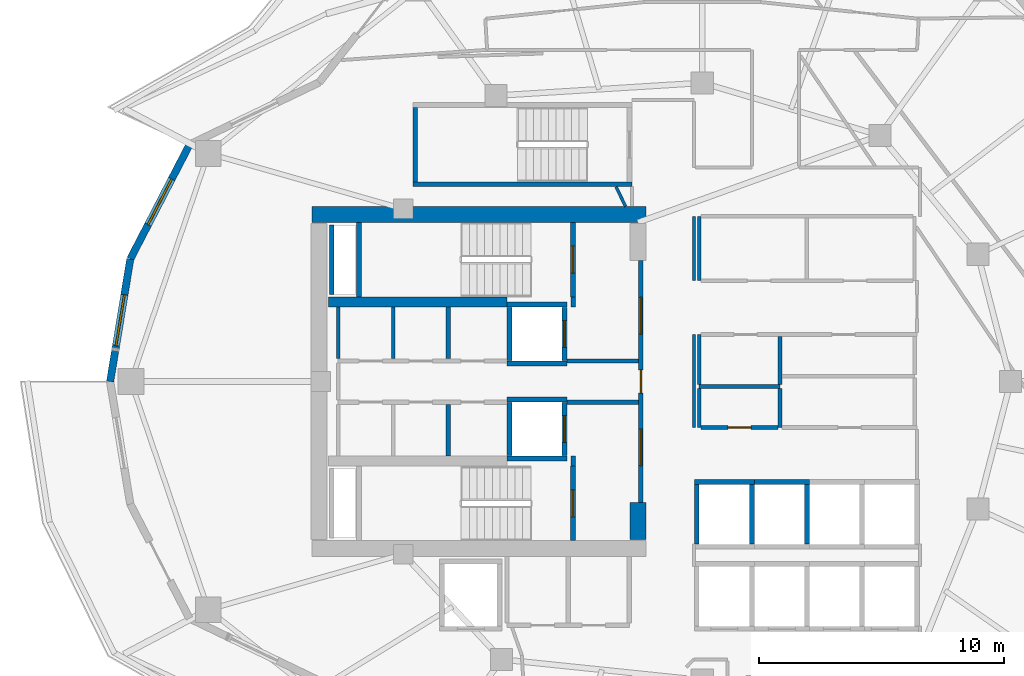
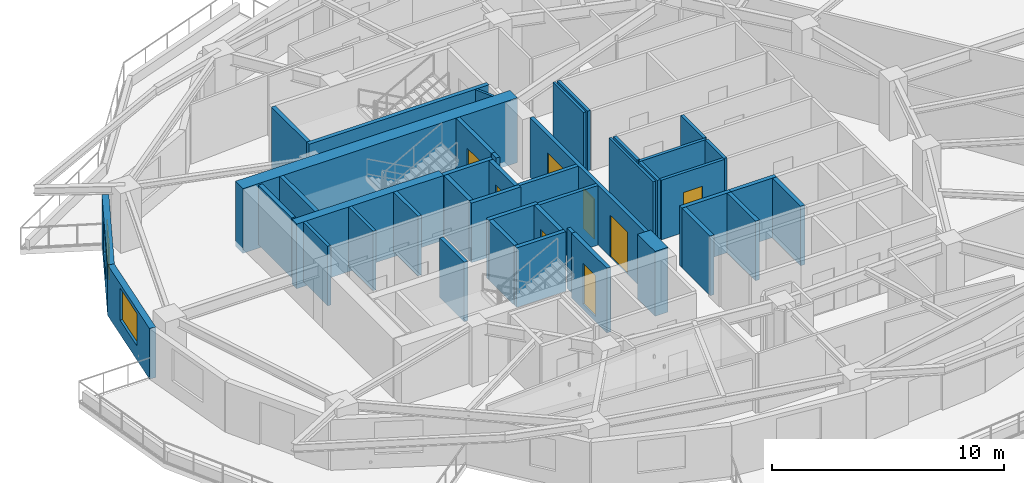
# One storey, part 4 of 17: 43 walls, 8 doors, 2 windows, 10 openings.
"""IFC4 building model written with IfcOpenShell, lengths in metres."""

from ifc_helpers import new_model, si_unit, direction, frame, frame_2d, origin, place, context, subcontext, project, spatial, rectangle, extrude, material, layer, layer_set, type_object, element, fill, save


model = new_model("IFC4")

# Units and contexts
model_context = context("Model", 3, precision=1e-05, world=origin(), true_north=direction((0.0, 1.0)))
body_context = subcontext(model_context, "Body", "Model", "MODEL_VIEW")
ifc_project = project(units=[si_unit("LENGTHUNIT", "METRE"), si_unit("AREAUNIT", "SQUARE_METRE"), si_unit("VOLUMEUNIT", "CUBIC_METRE"), si_unit("PLANEANGLEUNIT", "RADIAN"), si_unit("MASSUNIT", "GRAM", prefix="KILO")], contexts=[model_context])

# Site, building, storey
site_placement = place(None, origin())
site = spatial("IfcSite", under=ifc_project, at=site_placement, CompositionType="ELEMENT")
building_placement = place(site_placement, origin())
building = spatial("IfcBuilding", under=site, at=building_placement, Name="Kolvaren Gate Tower and Convention Centre", CompositionType="ELEMENT")
storey_placement = place(building_placement, frame((0.0, 0.0, 125.699951171875)))
storey = spatial("IfcBuildingStorey", under=building, at=storey_placement, Name="L31", CompositionType="ELEMENT", Elevation=125.699951171875)

# Walls
ifc_material_1 = material(Name="Autoclaved Aerated Masonry Blockwork Class 4 (4.0 MPa)", Category="masonry")
ifc_layer_1 = layer(ifc_material_1, 0.179931640625)
ifc_layer_set_1 = layer_set([ifc_layer_1], Name="Autoclaved Aerated Masonry Blockwork Class 4 (4.0 MPa)")
wall_type_1 = type_object("IfcWallType", Name="ARCH-WL-COMP-180", PredefinedType="SOLIDWALL", material=ifc_layer_set_1)
for number, where, z_axis, x_axis, name in (
    (1, (24.85009765625, 23.5400390625, 0.0), (0.0, 0.0, 1.0), (0.0, 1.0, 0.0), "Interior Partition WL-L31-INT-001"),
    (2, (24.85009765625, 30.0400390625, 0.0), (0.0, 0.0, 1.0), (0.0, 1.0, 0.0), "Interior Partition WL-L31-INT-002"),
):
    element("IfcWall", number, at=place(storey_placement, frame(where, z_axis=z_axis, x_axis=x_axis)), inside=storey, type_object=wall_type_1, Name=name, PredefinedType="SOLIDWALL", context=body_context, shape_type="SweptSolid", body=[
        extrude(rectangle(XDim=0.419921875, YDim=0.179931640625, at=frame_2d((0.2099609375, 0.0))), origin(), (0.0, 0.0, 1.0), 3.130126953125),
    ])

# Wall, openings, doors
wall_1_placement = place(storey_placement, frame((27.6201171875, 22.050048828125, 0.0), z_axis=(0.0, 0.0, 1.0), x_axis=(0.0, 1.0, 0.0)))
wall_1 = element("IfcWall", 3, at=wall_1_placement, inside=storey, type_object=wall_type_1, Name="Interior Partition WL-L31-INT-003", PredefinedType="SOLIDWALL", context=body_context, shape_type="SweptSolid", body=[
    extrude(rectangle(XDim=9.89990234375, YDim=0.179931640625, at=frame_2d((4.949951171875, 0.0))), origin(), (0.0, 0.0, 1.0), 3.130126953125),
])
opening_1_placement = place(wall_1_placement, frame((4.47509765625, 0.0, 0.0)))
opening_1 = element("IfcOpeningElement", 4, at=opening_1_placement, cuts=wall_1, Name="Opening DR-01", PredefinedType="OPENING", context=body_context, shape_type="SweptSolid", body=[
    extrude(rectangle(XDim=0.949951171875, YDim=2.10009765625, at=frame_2d((0.47509765625, 1.050048828125))), frame((0.0, 0.099853515625, 0.0), z_axis=(0.0, -1.0, 0.0), x_axis=(1.0, 0.0, 0.0)), (0.0, 0.0, 1.0), 0.199951171875),
])
opening_2_placement = place(wall_1_placement, frame((6.889892578125, 0.0, 0.0)))
opening_2 = element("IfcOpeningElement", 5, at=opening_2_placement, cuts=wall_1, Name="Opening DL-01", PredefinedType="OPENING", context=body_context, shape_type="SweptSolid", body=[
    extrude(rectangle(XDim=1.5, YDim=2.199951171875, at=frame_2d((0.75, 1.10009765625))), frame((0.0, 0.099853515625, 0.0), z_axis=(0.0, -1.0, 0.0), x_axis=(1.0, 0.0, 0.0)), (0.0, 0.0, 1.0), 0.199951171875),
])
opening_3_placement = place(wall_1_placement, frame((1.510009765625, 0.0, 0.0)))
opening_3 = element("IfcOpeningElement", 6, at=opening_3_placement, cuts=wall_1, Name="Opening DL-01", PredefinedType="OPENING", context=body_context, shape_type="SweptSolid", body=[
    extrude(rectangle(XDim=1.5, YDim=2.199951171875, at=frame_2d((0.75, 1.10009765625))), frame((0.0, 0.099853515625, 0.0), z_axis=(0.0, -1.0, 0.0), x_axis=(1.0, 0.0, 0.0)), (0.0, 0.0, 1.0), 0.199951171875),
])
ifc_material_2 = material(Name="Painted Architectural Steelwork ASTM A500 Grade C 345 MPa", Category="steel")
door_type_1 = type_object("IfcDoorType", Name="ARCH-DR-LOBBY-1500", OperationType="DOUBLE_DOOR_SINGLE_SWING", PredefinedType="DOOR", material=ifc_material_2)
door_1_placement = place(opening_2_placement, origin())
door_1 = element("IfcDoor", 7, at=door_1_placement, inside=storey, type_object=door_type_1, Name="North Firefighting Stair and Lift Lobby Door", OperationType="DOUBLE_DOOR_SINGLE_SWING", OverallHeight=2.199951171875, OverallWidth=1.5, PredefinedType="DOOR", context=body_context, shape_type="SweptSolid", body=[
    extrude(rectangle(XDim=1.5, YDim=2.199951171875, at=frame_2d((0.75, 1.10009765625))), frame((0.0, 0.02490234375, 0.0), z_axis=(0.0, -1.0, 0.0), x_axis=(1.0, 0.0, 0.0)), (0.0, 0.0, 1.0), 0.050048828125),
])
fill(opening_2, door_1)
door_2_placement = place(opening_3_placement, origin())
door_2 = element("IfcDoor", 8, at=door_2_placement, inside=storey, type_object=door_type_1, Name="South Firefighting Stair and Lift Lobby Door", OperationType="DOUBLE_DOOR_SINGLE_SWING", OverallHeight=2.199951171875, OverallWidth=1.5, PredefinedType="DOOR", context=body_context, shape_type="SweptSolid", body=[
    extrude(rectangle(XDim=1.5, YDim=2.199951171875, at=frame_2d((0.75, 1.10009765625))), frame((0.0, 0.02490234375, 0.0), z_axis=(0.0, -1.0, 0.0), x_axis=(1.0, 0.0, 0.0)), (0.0, 0.0, 1.0), 0.050048828125),
])
fill(opening_3, door_2)
door_type_2 = type_object("IfcDoorType", Name="ARCH-DR-RISER-950", OperationType="SINGLE_SWING_RIGHT", PredefinedType="DOOR", material=ifc_material_2)
door_3_placement = place(opening_1_placement, origin())
door_3 = element("IfcDoor", 9, at=door_3_placement, inside=storey, type_object=door_type_2, Name="Central MEP Service Corridor Door", OperationType="SINGLE_SWING_LEFT", OverallHeight=2.10009765625, OverallWidth=0.949951171875, PredefinedType="DOOR", context=body_context, shape_type="SweptSolid", body=[
    extrude(rectangle(XDim=0.949951171875, YDim=2.10009765625, at=frame_2d((0.47509765625, 1.050048828125))), frame((0.0, 0.02490234375, 0.0), z_axis=(0.0, -1.0, 0.0), x_axis=(1.0, 0.0, 0.0)), (0.0, 0.0, 1.0), 0.050048828125),
])
fill(opening_1, door_3)

# Walls
for number, where, z_axis, x_axis, name in (
    (10, (24.60009765625, 27.840087890625, 0.0), (0.0, 0.0, 1.0), (1.0, 0.0, 0.0), "Interior Partition WL-L31-INT-005 (2)"),
    (11, (24.60009765625, 26.159912109375, 0.0), (0.0, 0.0, 1.0), (1.0, 0.0, 0.0), "Interior Partition WL-L31-INT-006 (2)"),
):
    element("IfcWall", number, at=place(storey_placement, frame(where, z_axis=z_axis, x_axis=x_axis)), inside=storey, type_object=wall_type_1, Name=name, PredefinedType="SOLIDWALL", context=body_context, shape_type="SweptSolid", body=[
        extrude(rectangle(XDim=2.927978515625, YDim=0.179931640625, at=frame_2d((1.4638671875, 0.0))), origin(), (0.0, 0.0, 1.0), 3.130126953125),
    ])
for number, where, z_axis, x_axis, name in (
    (12, (19.75, 23.9619140625, 0.0), (0.0, 0.0, 1.0), (0.0, 1.0, 0.0), "Interior Partition WL-L31-INT-008"),
    (13, (19.75, 27.931884765625, 0.0), (0.0, 0.0, 1.0), (0.0, 1.0, 0.0), "Interior Partition WL-L31-INT-009"),
):
    element("IfcWall", number, at=place(storey_placement, frame(where, z_axis=z_axis, x_axis=x_axis)), inside=storey, type_object=wall_type_1, Name=name, PredefinedType="SOLIDWALL", context=body_context, shape_type="SweptSolid", body=[
        extrude(rectangle(XDim=2.106201171875, YDim=0.179931640625, at=frame_2d((1.05322265625, 0.0))), origin(), (0.0, 0.0, 1.0), 3.130126953125),
    ])
ifc_material_3 = material(Name="Fire-Rated Acoustic Gypsum Stud Partition", Category="gypsum")
ifc_layer_2 = layer(ifc_material_3, 0.1201171875)
ifc_layer_set_2 = layer_set([ifc_layer_2], Name="Fire-Rated Acoustic Gypsum Stud Partition")
wall_type_2 = type_object("IfcWallType", Name="ARCH-WL-PART-120", PredefinedType="PARTITIONING", material=ifc_layer_set_2)
wall_2_placement = place(storey_placement, frame((29.780029296875, 25.1201171875, 0.0), z_axis=(0.0, 0.0, 1.0), x_axis=(0.0, 1.0, 0.0)))
element("IfcWall", 14, at=wall_2_placement, inside=storey, type_object=wall_type_2, Name="Interior Partition WL-L31-INT-042", PredefinedType="PARTITIONING", context=body_context, shape_type="SweptSolid", body=[
    extrude(rectangle(XDim=3.7998046875, YDim=0.1201171875, at=frame_2d((1.89990234375, 0.0))), origin(), (0.0, 0.0, 1.0), 3.130126953125),
])
wall_3_placement = place(storey_placement, frame((29.780029296875, 31.1201171875, 0.0), z_axis=(0.0, 0.0, 1.0), x_axis=(0.0, 1.0, 0.0)))
element("IfcWall", 15, at=wall_3_placement, inside=storey, type_object=wall_type_2, Name="Interior Partition WL-L31-INT-043", PredefinedType="PARTITIONING", context=body_context, shape_type="SweptSolid", body=[
    extrude(rectangle(XDim=2.6298828125, YDim=0.1201171875, at=frame_2d((1.31494140625, 0.0))), origin(), (0.0, 0.0, 1.0), 3.130126953125),
])
wall_4_placement = place(storey_placement, frame((26.60205078125, 34.9580078125, 0.0), z_axis=(0.0, 0.0, 1.0), x_axis=(0.43792991699, -0.899009114417, 0.0)))
element("IfcWall", 16, at=wall_4_placement, inside=storey, type_object=wall_type_2, Name="Interior Partition WL-L31-INT-084", PredefinedType="PARTITIONING", context=body_context, shape_type="SweptSolid", body=[
    extrude(rectangle(XDim=0.896484375, YDim=0.1201171875, at=frame_2d((0.4482421875, 0.0))), origin(), (0.0, 0.0, 1.0), 3.130126953125),
])
ifc_layer_3 = layer(ifc_material_1, 0.199951171875)
ifc_layer_set_3 = layer_set([ifc_layer_3], Name="Autoclaved Aerated Masonry Blockwork Class 4 (4.0 MPa)")
wall_type_3 = type_object("IfcWallType", Name="ARCH-WL-SHAFT-200", PredefinedType="SOLIDWALL", material=ifc_layer_set_3)
for number, where, z_axis, x_axis, name in (
    (17, (22.14990234375, 30.139892578125, 0.0), (0.0, 0.0, 1.0), (1.0, 0.0, 0.0), "Elevator FF-01 L31 Fire Shaft Wall N"),
    (18, (22.14990234375, 27.739990234375, 0.0), (0.0, 0.0, 1.0), (1.0, 0.0, 0.0), "Elevator FF-01 L31 Fire Shaft Wall S"),
):
    element("IfcWall", number, at=place(storey_placement, frame(where, z_axis=z_axis, x_axis=x_axis)), inside=storey, type_object=wall_type_3, Name=name, PredefinedType="SOLIDWALL", context=body_context, shape_type="SweptSolid", body=[
        extrude(rectangle(XDim=2.4501953125, YDim=0.199951171875, at=frame_2d((1.22509765625, 0.0))), origin(), (0.0, 0.0, 1.0), 3.130126953125),
    ])
wall_5_placement = place(storey_placement, frame((22.25, 27.85009765625, 0.0), z_axis=(0.0, 0.0, 1.0), x_axis=(0.0, 1.0, 0.0)))
element("IfcWall", 19, at=wall_5_placement, inside=storey, type_object=wall_type_3, Name="Elevator FF-01 L31 Fire Shaft Wall W", PredefinedType="SOLIDWALL", context=body_context, shape_type="SweptSolid", body=[
    extrude(rectangle(XDim=2.179931640625, YDim=0.199951171875, at=frame_2d((1.08984375, 0.0))), origin(), (0.0, 0.0, 1.0), 3.130126953125),
])

# Wall, opening, door
wall_6_placement = place(storey_placement, frame((24.5, 27.85009765625, 0.0), z_axis=(0.0, 0.0, 1.0), x_axis=(0.0, 1.0, 0.0)))
wall_6 = element("IfcWall", 20, at=wall_6_placement, inside=storey, type_object=wall_type_3, Name="Elevator FF-01 L31 Fire Shaft Wall E", PredefinedType="SOLIDWALL", context=body_context, shape_type="SweptSolid", body=[
    extrude(rectangle(XDim=2.179931640625, YDim=0.199951171875, at=frame_2d((1.08984375, 0.0))), origin(), (0.0, 0.0, 1.0), 3.130126953125),
])
opening_4_placement = place(wall_6_placement, frame((0.5400390625, 0.0, 0.0)))
opening_4 = element("IfcOpeningElement", 21, at=opening_4_placement, cuts=wall_6, Name="Opening LD", PredefinedType="OPENING", context=body_context, shape_type="SweptSolid", body=[
    extrude(rectangle(XDim=1.10009765625, YDim=2.199951171875, at=frame_2d((0.550048828125, 1.10009765625))), frame((0.0, 0.10986328125, 0.0), z_axis=(0.0, -1.0, 0.0), x_axis=(1.0, 0.0, 0.0)), (0.0, 0.0, 1.0), 0.219970703125),
])
ifc_material_4 = material(Name="Brushed Stainless Steel Grade 316L", Category="steel")
door_type_3 = type_object("IfcDoorType", Name="ARCH-DR-LIFT-1100", OperationType="SLIDING_TO_LEFT", PredefinedType="DOOR", material=ifc_material_4)
door_4_placement = place(opening_4_placement, origin())
door_4 = element("IfcDoor", 22, at=door_4_placement, inside=storey, type_object=door_type_3, Name="Elevator FF-01 L31 Sliding Landing Door", OperationType="SLIDING_TO_LEFT", OverallHeight=2.199951171875, OverallWidth=1.10009765625, PredefinedType="DOOR", context=body_context, shape_type="SweptSolid", body=[
    extrude(rectangle(XDim=1.10009765625, YDim=2.199951171875, at=frame_2d((0.550048828125, 1.10009765625))), frame((0.0, 0.02490234375, 0.0), z_axis=(0.0, -1.0, 0.0), x_axis=(1.0, 0.0, 0.0)), (0.0, 0.0, 1.0), 0.050048828125),
])
fill(opening_4, door_4)

# Walls
for number, where, z_axis, x_axis, name in (
    (23, (22.14990234375, 26.260009765625, 0.0), (0.0, 0.0, 1.0), (1.0, 0.0, 0.0), "Elevator FF-02 L31 Fire Shaft Wall N"),
    (24, (22.14990234375, 23.860107421875, 0.0), (0.0, 0.0, 1.0), (1.0, 0.0, 0.0), "Elevator FF-02 L31 Fire Shaft Wall S"),
):
    element("IfcWall", number, at=place(storey_placement, frame(where, z_axis=z_axis, x_axis=x_axis)), inside=storey, type_object=wall_type_3, Name=name, PredefinedType="SOLIDWALL", context=body_context, shape_type="SweptSolid", body=[
        extrude(rectangle(XDim=2.4501953125, YDim=0.199951171875, at=frame_2d((1.22509765625, 0.0))), origin(), (0.0, 0.0, 1.0), 3.130126953125),
    ])
wall_7_placement = place(storey_placement, frame((22.25, 23.969970703125, 0.0), z_axis=(0.0, 0.0, 1.0), x_axis=(0.0, 1.0, 0.0)))
element("IfcWall", 25, at=wall_7_placement, inside=storey, type_object=wall_type_3, Name="Elevator FF-02 L31 Fire Shaft Wall W", PredefinedType="SOLIDWALL", context=body_context, shape_type="SweptSolid", body=[
    extrude(rectangle(XDim=2.179931640625, YDim=0.199951171875, at=frame_2d((1.08984375, 0.0))), origin(), (0.0, 0.0, 1.0), 3.130126953125),
])

# Wall, opening, door
wall_8_placement = place(storey_placement, frame((24.5, 23.969970703125, 0.0), z_axis=(0.0, 0.0, 1.0), x_axis=(0.0, 1.0, 0.0)))
wall_8 = element("IfcWall", 26, at=wall_8_placement, inside=storey, type_object=wall_type_3, Name="Elevator FF-02 L31 Fire Shaft Wall E", PredefinedType="SOLIDWALL", context=body_context, shape_type="SweptSolid", body=[
    extrude(rectangle(XDim=2.179931640625, YDim=0.199951171875, at=frame_2d((1.08984375, 0.0))), origin(), (0.0, 0.0, 1.0), 3.130126953125),
])
opening_5_placement = place(wall_8_placement, frame((0.5400390625, 0.0, 0.0)))
opening_5 = element("IfcOpeningElement", 27, at=opening_5_placement, cuts=wall_8, Name="Opening LD", PredefinedType="OPENING", context=body_context, shape_type="SweptSolid", body=[
    extrude(rectangle(XDim=1.10009765625, YDim=2.199951171875, at=frame_2d((0.550048828125, 1.10009765625))), frame((0.0, 0.10986328125, 0.0), z_axis=(0.0, -1.0, 0.0), x_axis=(1.0, 0.0, 0.0)), (0.0, 0.0, 1.0), 0.219970703125),
])
door_5_placement = place(opening_5_placement, origin())
door_5 = element("IfcDoor", 28, at=door_5_placement, inside=storey, type_object=door_type_3, Name="Elevator FF-02 L31 Sliding Landing Door", OperationType="SLIDING_TO_LEFT", OverallHeight=2.199951171875, OverallWidth=1.10009765625, PredefinedType="DOOR", context=body_context, shape_type="SweptSolid", body=[
    extrude(rectangle(XDim=1.10009765625, YDim=2.199951171875, at=frame_2d((0.550048828125, 1.10009765625))), frame((0.0, 0.02490234375, 0.0), z_axis=(0.0, -1.0, 0.0), x_axis=(1.0, 0.0, 0.0)), (0.0, 0.0, 1.0), 0.050048828125),
])
fill(opening_5, door_5)

# Walls
wall_9_placement = place(storey_placement, frame((29.800048828125, 22.89990234375, 0.0), z_axis=(0.0, 0.0, 1.0), x_axis=(1.0, 0.0, 0.0)))
element("IfcWall", 29, at=wall_9_placement, inside=storey, type_object=wall_type_3, Name="Elevator PL-09 L31 Fire Shaft Wall N", PredefinedType="SOLIDWALL", context=body_context, shape_type="SweptSolid", body=[
    extrude(rectangle(XDim=2.449951171875, YDim=0.199951171875, at=frame_2d((1.22509765625, 0.0))), origin(), (0.0, 0.0, 1.0), 3.130126953125),
])
for number, where, z_axis, x_axis, name in (
    (30, (29.89990234375, 20.360107421875, 0.0), (0.0, 0.0, 1.0), (0.0, 1.0, 0.0), "Elevator PL-09 L31 Fire Shaft Wall W"),
    (31, (32.14990234375, 20.360107421875, 0.0), (0.0, 0.0, 1.0), (0.0, 1.0, 0.0), "Elevator PL-09 L31 Fire Shaft Wall E"),
):
    element("IfcWall", number, at=place(storey_placement, frame(where, z_axis=z_axis, x_axis=x_axis)), inside=storey, type_object=wall_type_3, Name=name, PredefinedType="SOLIDWALL", context=body_context, shape_type="SweptSolid", body=[
        extrude(rectangle(XDim=2.429931640625, YDim=0.199951171875, at=frame_2d((1.21484375, 0.0))), origin(), (0.0, 0.0, 1.0), 3.130126953125),
    ])
wall_10_placement = place(storey_placement, frame((32.25, 22.89990234375, 0.0), z_axis=(0.0, 0.0, 1.0), x_axis=(1.0, 0.0, 0.0)))
element("IfcWall", 32, at=wall_10_placement, inside=storey, type_object=wall_type_3, Name="Elevator PL-10 L31 Fire Shaft Wall N", PredefinedType="SOLIDWALL", context=body_context, shape_type="SweptSolid", body=[
    extrude(rectangle(XDim=2.25, YDim=0.199951171875, at=frame_2d((1.125, 0.0))), origin(), (0.0, 0.0, 1.0), 3.130126953125),
])
wall_11_placement = place(storey_placement, frame((34.39990234375, 20.360107421875, 0.0), z_axis=(0.0, 0.0, 1.0), x_axis=(0.0, 1.0, 0.0)))
element("IfcWall", 33, at=wall_11_placement, inside=storey, type_object=wall_type_3, Name="Elevator PL-10 L31 Fire Shaft Wall E", PredefinedType="SOLIDWALL", context=body_context, shape_type="SweptSolid", body=[
    extrude(rectangle(XDim=2.429931640625, YDim=0.199951171875, at=frame_2d((1.21484375, 0.0))), origin(), (0.0, 0.0, 1.0), 3.130126953125),
])
wall_12_placement = place(storey_placement, frame((14.989990234375, 30.550048828125, 0.0), z_axis=(0.0, 0.0, 1.0), x_axis=(0.0, 1.0, 0.0)))
element("IfcWall", 34, at=wall_12_placement, inside=storey, type_object=wall_type_3, Name="Vertical Shaft HVR L31 EI-120 Enclosure Wall W", PredefinedType="SOLIDWALL", context=body_context, shape_type="SweptSolid", body=[
    extrude(rectangle(XDim=2.849853515625, YDim=0.199951171875, at=frame_2d((1.4248046875, 0.0))), origin(), (0.0, 0.0, 1.0), 3.130126953125),
])

# Wall, opening, window
ifc_material_5 = material(Name="Piedmont Cream Honed Limestone Cladding", Category="masonry")
ifc_layer_4 = layer(ifc_material_5, 0.300048828125)
ifc_layer_set_4 = layer_set([ifc_layer_4], Name="Piedmont Cream Honed Limestone Cladding")
wall_type_4 = type_object("IfcWallType", Name="ARCH-WL-STONE-300", PredefinedType="SOLIDWALL", material=ifc_layer_set_4)
wall_13_placement = place(storey_placement, frame((6.76171875, 32.008056640625, 0.0), z_axis=(0.0, 0.0, 1.0), x_axis=(0.459767899643, 0.888039119892, 0.0)))
wall_13 = element("IfcWall", 35, at=wall_13_placement, inside=storey, type_object=wall_type_4, Name="Tower L31 Honed Stone Spandrel Wall EW-10", PredefinedType="SOLIDWALL", context=body_context, shape_type="SweptSolid", body=[
    extrude(rectangle(XDim=5.25537109375, YDim=0.300048828125, at=frame_2d((2.627685546875, 0.0))), origin(), (0.0, 0.0, 1.0), 2.653076171875),
])
opening_6_placement = place(wall_13_placement, frame((1.577880859375, 0.0, 0.739990234375)))
opening_6 = element("IfcOpeningElement", 36, at=opening_6_placement, cuts=wall_13, Name="Opening W-02", PredefinedType="OPENING", context=body_context, shape_type="SweptSolid", body=[
    extrude(rectangle(XDim=2.10009765625, YDim=1.699951171875, at=frame_2d((1.050048828125, 0.85009765625))), frame((0.0, 0.159912109375, 0.0), z_axis=(0.0, -1.0, 0.0), x_axis=(1.0, 0.0, 0.0)), (0.0, 0.0, 1.0), 0.320068359375),
])
ifc_material_6 = material(Name="Low-E Triple Insulated Glazing Unit 44 mm", Category="glass")
window_type = type_object("IfcWindowType", Name="ARCH-WN-HTL-2100", PartitioningType="SINGLE_PANEL", PredefinedType="WINDOW", material=ifc_material_6)
window_1_placement = place(opening_6_placement, origin())
window_1 = element("IfcWindow", 37, at=window_1_placement, inside=storey, type_object=window_type, Name="Tower L31 Punched Stone Facade Window W-10", OverallHeight=1.699951171875, OverallWidth=2.10009765625, PartitioningType="SINGLE_PANEL", PredefinedType="WINDOW", context=body_context, shape_type="SweptSolid", body=[
    extrude(rectangle(XDim=2.10009765625, YDim=1.699951171875, at=frame_2d((1.050048828125, 0.85009765625))), frame((0.0, 0.030029296875, 0.0), z_axis=(0.0, -1.0, 0.0), x_axis=(1.0, 0.0, 0.0)), (0.0, 0.0, 1.0), 0.06005859375),
])
fill(opening_6, window_1)

wall_14_placement = place(storey_placement, frame((5.9375, 27.0, 0.0), z_axis=(0.0, 0.0, 1.0), x_axis=(0.162393944769, 0.986726003864, 0.0)))
wall_14 = element("IfcWall", 38, at=wall_14_placement, inside=storey, type_object=wall_type_4, Name="Tower L31 Honed Stone Spandrel Wall EW-11", PredefinedType="SOLIDWALL", context=body_context, shape_type="SweptSolid", body=[
    extrude(rectangle(XDim=5.075439453125, YDim=0.300048828125, at=frame_2d((2.53759765625, 0.0))), origin(), (0.0, 0.0, 1.0), 2.653076171875),
])
opening_7_placement = place(wall_14_placement, frame((1.488037109375, 0.0, 0.739990234375)))
opening_7 = element("IfcOpeningElement", 39, at=opening_7_placement, cuts=wall_14, Name="Opening W-02", PredefinedType="OPENING", context=body_context, shape_type="SweptSolid", body=[
    extrude(rectangle(XDim=2.10009765625, YDim=1.699951171875, at=frame_2d((1.050048828125, 0.85009765625))), frame((0.0, 0.159912109375, 0.0), z_axis=(0.0, -1.0, 0.0), x_axis=(1.0, 0.0, 0.0)), (0.0, 0.0, 1.0), 0.320068359375),
])
window_2_placement = place(opening_7_placement, origin())
window_2 = element("IfcWindow", 40, at=window_2_placement, inside=storey, type_object=window_type, Name="Tower L31 Punched Stone Facade Window W-11", OverallHeight=1.699951171875, OverallWidth=2.10009765625, PartitioningType="SINGLE_PANEL", PredefinedType="WINDOW", context=body_context, shape_type="SweptSolid", body=[
    extrude(rectangle(XDim=2.10009765625, YDim=1.699951171875, at=frame_2d((1.050048828125, 0.85009765625))), frame((0.0, 0.030029296875, 0.0), z_axis=(0.0, -1.0, 0.0), x_axis=(1.0, 0.0, 0.0)), (0.0, 0.0, 1.0), 0.06005859375),
])
fill(opening_7, window_2)

# Walls
ifc_material_7 = material(Name="Moisture-Resistant Cement-Board Acoustic Partition", Category="gypsum")
ifc_layer_5 = layer(ifc_material_7, 0.14990234375)
ifc_layer_set_5 = layer_set([ifc_layer_5], Name="Moisture-Resistant Cement-Board Acoustic Partition")
wall_type_5 = type_object("IfcWallType", Name="ARCH-WL-WET-150", PredefinedType="PARTITIONING", material=ifc_layer_set_5)
for number, where, z_axis, x_axis, name in (
    (41, (15.25, 27.931884765625, 0.0), (0.0, 0.0, 1.0), (0.0, 1.0, 0.0), "Interior Partition WL-L31-INT-007 (3)"),
    (42, (17.5, 27.931884765625, 0.0), (0.0, 0.0, 1.0), (0.0, 1.0, 0.0), "Interior Partition WL-L31-INT-011"),
):
    element("IfcWall", number, at=place(storey_placement, frame(where, z_axis=z_axis, x_axis=x_axis)), inside=storey, type_object=wall_type_5, Name=name, PredefinedType="PARTITIONING", context=body_context, shape_type="SweptSolid", body=[
        extrude(rectangle(XDim=2.106201171875, YDim=0.14990234375, at=frame_2d((1.05322265625, 0.0))), origin(), (0.0, 0.0, 1.0), 3.130126953125),
    ])
wall_15_placement = place(storey_placement, frame((30.0, 26.800048828125, 0.0), z_axis=(0.0, 0.0, 1.0), x_axis=(1.0, 0.0, 0.0)))
element("IfcWall", 43, at=wall_15_placement, inside=storey, type_object=wall_type_5, Name="Interior Partition WL-L31-INT-017", PredefinedType="PARTITIONING", context=body_context, shape_type="SweptSolid", body=[
    extrude(rectangle(XDim=3.300048828125, YDim=0.14990234375, at=frame_2d((1.64990234375, 0.0))), origin(), (0.0, 0.0, 1.0), 3.130126953125),
])
wall_16_placement = place(storey_placement, frame((30.0, 25.1201171875, 0.0), z_axis=(0.0, 0.0, 1.0), x_axis=(0.0, 1.0, 0.0)))
element("IfcWall", 44, at=wall_16_placement, inside=storey, type_object=wall_type_5, Name="Interior Partition WL-L31-INT-018", PredefinedType="PARTITIONING", context=body_context, shape_type="SweptSolid", body=[
    extrude(rectangle(XDim=1.602783203125, YDim=0.14990234375, at=frame_2d((0.80126953125, 0.0))), origin(), (0.0, 0.0, 1.0), 3.130126953125),
])
wall_17_placement = place(storey_placement, frame((30.0, 26.876953125, 0.0), z_axis=(0.0, 0.0, 1.0), x_axis=(0.0, 1.0, 0.0)))
element("IfcWall", 45, at=wall_17_placement, inside=storey, type_object=wall_type_5, Name="Interior Partition WL-L31-INT-018 (2)", PredefinedType="PARTITIONING", context=body_context, shape_type="SweptSolid", body=[
    extrude(rectangle(XDim=2.04296875, YDim=0.14990234375, at=frame_2d((1.021484375, 0.0))), origin(), (0.0, 0.0, 1.0), 3.130126953125),
])
wall_18_placement = place(storey_placement, frame((30.0, 31.1201171875, 0.0), z_axis=(0.0, 0.0, 1.0), x_axis=(0.0, 1.0, 0.0)))
element("IfcWall", 46, at=wall_18_placement, inside=storey, type_object=wall_type_5, Name="Interior Partition WL-L31-INT-019", PredefinedType="PARTITIONING", context=body_context, shape_type="SweptSolid", body=[
    extrude(rectangle(XDim=2.6298828125, YDim=0.14990234375, at=frame_2d((1.31494140625, 0.0))), origin(), (0.0, 0.0, 1.0), 3.130126953125),
])
wall_19_placement = place(storey_placement, frame((33.300048828125, 25.1201171875, 0.0), z_axis=(0.0, 0.0, 1.0), x_axis=(0.0, 1.0, 0.0)))
element("IfcWall", 47, at=wall_19_placement, inside=storey, type_object=wall_type_5, Name="Interior Partition WL-L31-INT-021", PredefinedType="PARTITIONING", context=body_context, shape_type="SweptSolid", body=[
    extrude(rectangle(XDim=1.602783203125, YDim=0.14990234375, at=frame_2d((0.80126953125, 0.0))), origin(), (0.0, 0.0, 1.0), 3.130126953125),
])
wall_20_placement = place(storey_placement, frame((33.300048828125, 26.876953125, 0.0), z_axis=(0.0, 0.0, 1.0), x_axis=(0.0, 1.0, 0.0)))
element("IfcWall", 48, at=wall_20_placement, inside=storey, type_object=wall_type_5, Name="Interior Partition WL-L31-INT-021 (2)", PredefinedType="PARTITIONING", context=body_context, shape_type="SweptSolid", body=[
    extrude(rectangle(XDim=1.966064453125, YDim=0.14990234375, at=frame_2d((0.98291015625, 0.0))), origin(), (0.0, 0.0, 1.0), 3.130126953125),
])

# Wall, opening, door
wall_21_placement = place(storey_placement, frame((30.076904296875, 25.1201171875, 0.0), z_axis=(0.0, 0.0, 1.0), x_axis=(1.0, 0.0, 0.0)))
wall_21 = element("IfcWall", 49, at=wall_21_placement, inside=storey, type_object=wall_type_5, Name="Interior Partition WL-L31-INT-022", PredefinedType="PARTITIONING", context=body_context, shape_type="SweptSolid", body=[
    extrude(rectangle(XDim=3.14599609375, YDim=0.14990234375, at=frame_2d((1.572998046875, 0.0))), origin(), (0.0, 0.0, 1.0), 3.130126953125),
])
opening_8_placement = place(wall_21_placement, frame((1.097900390625, 0.0, 0.0)))
opening_8 = element("IfcOpeningElement", 50, at=opening_8_placement, cuts=wall_21, Name="Opening DR-01", PredefinedType="OPENING", context=body_context, shape_type="SweptSolid", body=[
    extrude(rectangle(XDim=0.949951171875, YDim=2.10009765625, at=frame_2d((0.47509765625, 1.050048828125))), frame((0.0, 0.0849609375, 0.0), z_axis=(0.0, -1.0, 0.0), x_axis=(1.0, 0.0, 0.0)), (0.0, 0.0, 1.0), 0.169921875),
])
door_6_placement = place(opening_8_placement, origin())
door_6 = element("IfcDoor", 51, at=door_6_placement, inside=storey, type_object=door_type_2, Name="South Visitor Washroom Door", OperationType="SINGLE_SWING_LEFT", OverallHeight=2.10009765625, OverallWidth=0.949951171875, PredefinedType="DOOR", context=body_context, shape_type="SweptSolid", body=[
    extrude(rectangle(XDim=0.949951171875, YDim=2.10009765625, at=frame_2d((0.47509765625, 1.050048828125))), frame((0.0, 0.02490234375, 0.0), z_axis=(0.0, -1.0, 0.0), x_axis=(1.0, 0.0, 0.0)), (0.0, 0.0, 1.0), 0.050048828125),
])
fill(opening_8, door_6)

# Walls
ifc_material_8 = material(Name="Concrete C50/60", Category="concrete")
ifc_layer_6 = layer(ifc_material_8, 0.419921875)
ifc_layer_set_6 = layer_set([ifc_layer_6], Name="Concrete C50/60")
wall_type_6 = type_object("IfcWallType", Name="STR-WL-CONV-420", PredefinedType="SHEAR", material=ifc_layer_set_6)
wall_22_placement = place(storey_placement, frame((14.85009765625, 30.25, -0.27001953125), z_axis=(0.0, 0.0, 1.0), x_axis=(1.0, 0.0, 0.0)))
element("IfcWall", 52, at=wall_22_placement, inside=storey, type_object=wall_type_6, Name="Tower L31 Offset Core Shear Wall WN", PredefinedType="SHEAR", context=body_context, shape_type="SweptSolid", body=[
    extrude(rectangle(XDim=7.2998046875, YDim=0.419921875, at=frame_2d((3.64990234375, 0.0))), origin(), (0.0, 0.0, 1.0), 3.400146484375),
])
ifc_material_9 = material(Name="Concrete C60/75", Category="concrete")
ifc_layer_7 = layer(ifc_material_9, 0.64990234375)
ifc_layer_set_7 = layer_set([ifc_layer_7], Name="Concrete C60/75")
wall_type_7 = type_object("IfcWallType", Name="STR-WL-CORE-650", PredefinedType="SHEAR", material=ifc_layer_set_7)
wall_23_placement = place(storey_placement, frame((14.175048828125, 33.824951171875, -0.27001953125), z_axis=(0.0, 0.0, 1.0), x_axis=(1.0, 0.0, 0.0)))
element("IfcWall", 53, at=wall_23_placement, inside=storey, type_object=wall_type_7, Name="Tower L31 Offset Core Shear Wall N", PredefinedType="SHEAR", context=body_context, shape_type="SweptSolid", body=[
    extrude(rectangle(XDim=13.64990234375, YDim=0.64990234375, at=frame_2d((6.824951171875, 0.0))), origin(), (0.0, 0.0, 1.0), 3.400146484375),
])
wall_24_placement = place(storey_placement, frame((27.5, 20.550048828125, -0.27001953125), z_axis=(0.0, 0.0, 1.0), x_axis=(0.0, 1.0, 0.0)))
element("IfcWall", 54, at=wall_24_placement, inside=storey, type_object=wall_type_7, Name="Tower L31 Offset Core Shear Wall ES", PredefinedType="SHEAR", context=body_context, shape_type="SweptSolid", body=[
    extrude(rectangle(XDim=1.5, YDim=0.64990234375, at=frame_2d((0.75, 0.0))), origin(), (0.0, 0.0, 1.0), 3.400146484375),
])

# Wall, opening, door
ifc_layer_8 = layer(ifc_material_8, 0.199951171875)
ifc_layer_set_8 = layer_set([ifc_layer_8], Name="Concrete C50/60")
wall_type_8 = type_object("IfcWallType", Name="STR-WL-SHAFT-200", PredefinedType="SHEAR", material=ifc_layer_set_8)
wall_25_placement = place(storey_placement, frame((24.85009765625, 30.4599609375, -0.27001953125), z_axis=(0.0, 0.0, 1.0), x_axis=(0.0, 1.0, 0.0)))
wall_25 = element("IfcWall", 55, at=wall_25_placement, inside=storey, type_object=wall_type_8, Name="Tower North Exit Stair ST-T1 L31 Structural Shear Enclosure Wall NEAR", PredefinedType="SHEAR", context=body_context, shape_type="SweptSolid", body=[
    extrude(rectangle(XDim=3.0380859375, YDim=0.199951171875, at=frame_2d((1.51904296875, 0.0))), origin(), (0.0, 0.0, 1.0), 3.400146484375),
])
opening_9_placement = place(wall_25_placement, frame((0.968994140625, 0.0, 0.27001953125)))
opening_9 = element("IfcOpeningElement", 56, at=opening_9_placement, cuts=wall_25, Name="Opening DS-01", PredefinedType="OPENING", context=body_context, shape_type="SweptSolid", body=[
    extrude(rectangle(XDim=1.10009765625, YDim=2.14990234375, at=frame_2d((0.550048828125, 1.074951171875))), frame((0.0, 0.10986328125, 0.0), z_axis=(0.0, -1.0, 0.0), x_axis=(1.0, 0.0, 0.0)), (0.0, 0.0, 1.0), 0.219970703125),
])
door_type_4 = type_object("IfcDoorType", Name="ARCH-DR-STAIR-1100", OperationType="SINGLE_SWING_LEFT", PredefinedType="DOOR", material=ifc_material_2)
door_7_placement = place(opening_9_placement, origin())
door_7 = element("IfcDoor", 57, at=door_7_placement, inside=storey, type_object=door_type_4, Name="Tower North Exit Stair ST-T1 L31 Fire Exit Stair Door", OperationType="SINGLE_SWING_LEFT", OverallHeight=2.14990234375, OverallWidth=1.10009765625, PredefinedType="DOOR", context=body_context, shape_type="SweptSolid", body=[
    extrude(rectangle(XDim=1.10009765625, YDim=2.14990234375, at=frame_2d((0.550048828125, 1.074951171875))), frame((0.0, 0.02490234375, 0.0), z_axis=(0.0, -1.0, 0.0), x_axis=(1.0, 0.0, 0.0)), (0.0, 0.0, 1.0), 0.050048828125),
])
fill(opening_9, door_7)

# Wall
wall_26_placement = place(storey_placement, frame((16.10009765625, 30.4619140625, -0.27001953125), z_axis=(0.0, 0.0, 1.0), x_axis=(0.0, 1.0, 0.0)))
element("IfcWall", 58, at=wall_26_placement, inside=storey, type_object=wall_type_8, Name="Tower North Exit Stair ST-T1 L31 Structural Shear Enclosure Wall FAR", PredefinedType="SHEAR", context=body_context, shape_type="SweptSolid", body=[
    extrude(rectangle(XDim=3.0361328125, YDim=0.199951171875, at=frame_2d((1.51806640625, 0.0))), origin(), (0.0, 0.0, 1.0), 3.400146484375),
])

# Wall, opening, door
wall_27_placement = place(storey_placement, frame((24.85009765625, 20.501953125, -0.27001953125), z_axis=(0.0, 0.0, 1.0), x_axis=(0.0, 1.0, 0.0)))
wall_27 = element("IfcWall", 59, at=wall_27_placement, inside=storey, type_object=wall_type_8, Name="Tower South Exit Stair ST-T2 L31 Structural Shear Enclosure Wall NEAR", PredefinedType="SHEAR", context=body_context, shape_type="SweptSolid", body=[
    extrude(rectangle(XDim=3.0380859375, YDim=0.199951171875, at=frame_2d((1.51904296875, 0.0))), origin(), (0.0, 0.0, 1.0), 3.400146484375),
])
opening_10_placement = place(wall_27_placement, frame((0.968994140625, 0.0, 0.27001953125)))
opening_10 = element("IfcOpeningElement", 60, at=opening_10_placement, cuts=wall_27, Name="Opening DS-01", PredefinedType="OPENING", context=body_context, shape_type="SweptSolid", body=[
    extrude(rectangle(XDim=1.10009765625, YDim=2.14990234375, at=frame_2d((0.550048828125, 1.074951171875))), frame((0.0, 0.10986328125, 0.0), z_axis=(0.0, -1.0, 0.0), x_axis=(1.0, 0.0, 0.0)), (0.0, 0.0, 1.0), 0.219970703125),
])
door_8_placement = place(opening_10_placement, origin())
door_8 = element("IfcDoor", 61, at=door_8_placement, inside=storey, type_object=door_type_4, Name="Tower South Exit Stair ST-T2 L31 Fire Exit Stair Door", OperationType="SINGLE_SWING_LEFT", OverallHeight=2.14990234375, OverallWidth=1.10009765625, PredefinedType="DOOR", context=body_context, shape_type="SweptSolid", body=[
    extrude(rectangle(XDim=1.10009765625, YDim=2.14990234375, at=frame_2d((0.550048828125, 1.074951171875))), frame((0.0, 0.02490234375, 0.0), z_axis=(0.0, -1.0, 0.0), x_axis=(1.0, 0.0, 0.0)), (0.0, 0.0, 1.0), 0.050048828125),
])
fill(opening_10, door_8)

# Walls
wall_28_placement = place(storey_placement, frame((18.39990234375, 35.159912109375, -0.27001953125), z_axis=(0.0, 0.0, 1.0), x_axis=(0.0, 1.0, 0.0)))
element("IfcWall", 62, at=wall_28_placement, inside=storey, type_object=wall_type_8, Name="Tower Mid-Zone Exit Stair ST-T3 L31 Structural Shear Enclosure Wall FAR", PredefinedType="SHEAR", context=body_context, shape_type="SweptSolid", body=[
    extrude(rectangle(XDim=3.0400390625, YDim=0.199951171875, at=frame_2d((1.52001953125, 0.0))), origin(), (0.0, 0.0, 1.0), 3.400146484375),
])
wall_29_placement = place(storey_placement, frame((18.300048828125, 35.06005859375, -0.27001953125), z_axis=(0.0, 0.0, 1.0), x_axis=(1.0, 0.0, 0.0)))
element("IfcWall", 63, at=wall_29_placement, inside=storey, type_object=wall_type_8, Name="Tower Mid-Zone Exit Stair ST-T3 L31 Structural Shear Enclosure Wall RGHT", PredefinedType="SHEAR", context=body_context, shape_type="SweptSolid", body=[
    extrude(rectangle(XDim=8.949951171875, YDim=0.199951171875, at=frame_2d((4.47509765625, 0.0))), origin(), (0.0, 0.0, 1.0), 3.400146484375),
])

save(model, "model.ifc")
